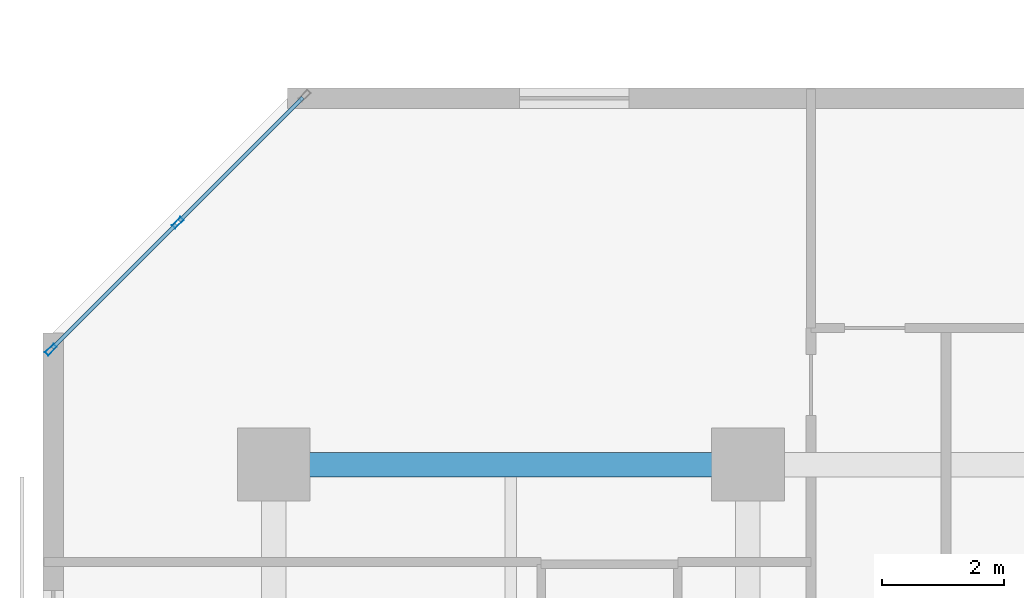
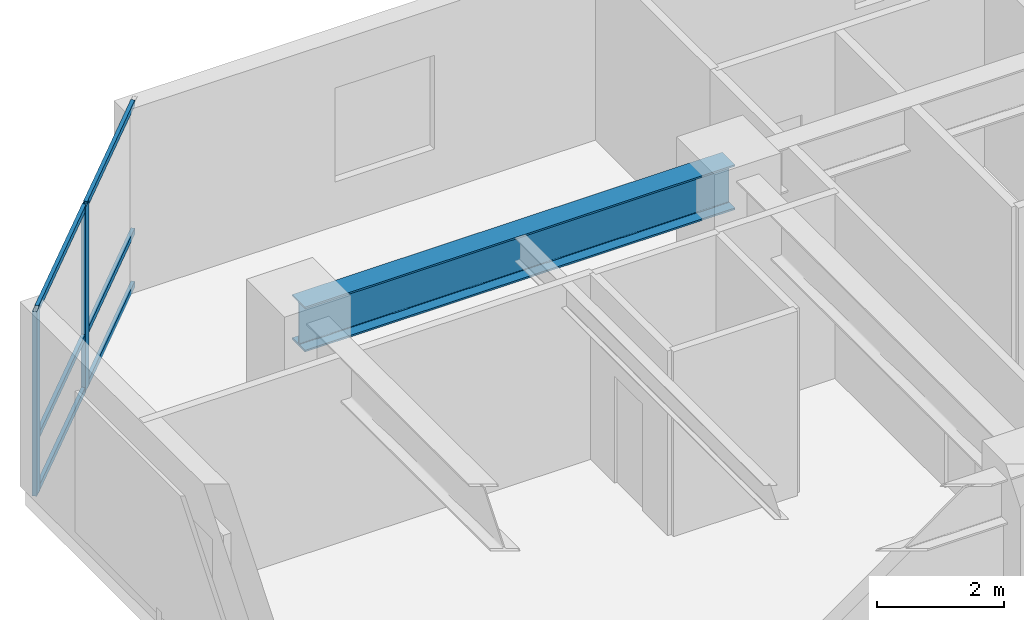
# One storey, part 3 of 13: 8 members, 1 beam, 1 element without a shape of its own.
"""IFC4 building model written with IfcOpenShell, lengths in metres."""

import ifcopenshell
import ifcopenshell.guid

model = None  # the IFC model being written
_history = None  # IfcOwnerHistory: only IFC2X3 demands one
_inside = {}  # id of a spatial element -> (the spatial element, [elements in it])
_under = {}  # id of a project, library or spatial element -> (it, [spatial elements below it])
_declared = {}  # id of a project -> (the project, [libraries it declares])
_typed = {}  # id of a type object -> (the type object, [elements of that type])
_made_of = {}  # id of a material, layer set ... -> (it, [elements and type objects made of it])


def new_model(schema):
    """Start an empty IFC model of exactly this schema.

    Asked for "IFC4X3", IfcOpenShell would pick the latest addendum, in which some entities
    have other attributes; the version numbers below select the first issue.
    IFC2X3 requires an IfcOwnerHistory on every rooted entity: one is made here for all.
    """
    global model, _history
    if schema == "IFC4X3":
        model = ifcopenshell.file(schema_version=(4, 3, 0, 0))
    else:
        model = ifcopenshell.file(schema=schema)
    _inside.clear()
    _under.clear()
    _declared.clear()
    _typed.clear()
    _made_of.clear()
    _history = None
    if model.schema == "IFC2X3":
        org = make("IfcOrganization", Name="unknown")
        user = make(
            "IfcPersonAndOrganization",
            ThePerson=make("IfcPerson", FamilyName="unknown"),
            TheOrganization=org,
        )
        app = make(
            "IfcApplication",
            ApplicationDeveloper=org,
            Version="unknown",
            ApplicationFullName="unknown",
            ApplicationIdentifier="unknown",
        )
        _history = make(
            "IfcOwnerHistory",
            OwningUser=user,
            OwningApplication=app,
            ChangeAction="ADDED",
            CreationDate=0,
        )
    return model


def make(cls, **values):
    """One entity of the class cls with the attributes given. An attribute that is None is left unset."""
    return model.create_entity(
        cls, **{name: value for name, value in values.items() if value is not None}
    )


def rooted(cls, **values):
    """An entity with a GlobalId (a new one), such as an element, a storey or a relation."""
    return make(cls, GlobalId=ifcopenshell.guid.new(), OwnerHistory=_history, **values)


def si_unit(unit_type, name, prefix=None):
    """IfcSIUnit, for example si_unit("LENGTHUNIT", "METRE", prefix="MILLI")."""
    return make("IfcSIUnit", UnitType=unit_type, Prefix=prefix, Name=name)


def assignment(units):
    """IfcUnitAssignment: the units of a project."""
    return None if units is None else make("IfcUnitAssignment", Units=units)


def point(xyz):
    """IfcCartesianPoint."""
    return None if xyz is None else make("IfcCartesianPoint", Coordinates=xyz)


def direction(xyz):
    """IfcDirection."""
    return None if xyz is None else make("IfcDirection", DirectionRatios=xyz)


def frame(location, z_axis=None, x_axis=None):
    """IfcAxis2Placement3D, a coordinate frame: its origin and axes. An axis left out is left unset."""
    return make(
        "IfcAxis2Placement3D",
        Location=point(location),
        Axis=direction(z_axis),
        RefDirection=direction(x_axis),
    )


def frame_2d(location, x_axis=None):
    """IfcAxis2Placement2D, a coordinate frame in the plane: its origin and x axis."""
    return make(
        "IfcAxis2Placement2D", Location=point(location), RefDirection=direction(x_axis)
    )


def origin():
    """The frame at (0, 0, 0) with its axes left unset."""
    return frame((0.0, 0.0, 0.0))


def origin_2d():
    """The frame at (0, 0) in the plane with its x axis left unset."""
    return frame_2d((0.0, 0.0))


def place(relative_to, where):
    """IfcLocalPlacement: puts the frame where relative to a parent placement (None: the world)."""
    return make(
        "IfcLocalPlacement", PlacementRelTo=relative_to, RelativePlacement=where
    )


def context(
    kind, dimensions, precision=None, world=None, true_north=None, identifier=None
):
    """IfcGeometricRepresentationContext, for example the 3D "Model" context."""
    return make(
        "IfcGeometricRepresentationContext",
        ContextIdentifier=identifier,
        ContextType=kind,
        CoordinateSpaceDimension=dimensions,
        Precision=precision,
        WorldCoordinateSystem=world,
        TrueNorth=true_north,
    )


def subcontext(parent, identifier, kind, view, scale=None):
    """IfcGeometricRepresentationSubContext, for example "Body" below "Model"."""
    return make(
        "IfcGeometricRepresentationSubContext",
        ContextIdentifier=identifier,
        ContextType=kind,
        ParentContext=parent,
        TargetScale=scale,
        TargetView=view,
    )


def project(units=None, contexts=None):
    """IfcProject with its units and contexts."""
    return rooted(
        "IfcProject",
        Name="project",
        RepresentationContexts=contexts,
        UnitsInContext=assignment(units),
    )


def spatial(cls, under=None, at=None, **own):
    """A site, building, storey or space (cls), placed at a placement, below another one or the project."""
    s = rooted(cls, ObjectPlacement=at, **own)
    if under is not None:
        _under.setdefault(under.id(), (under, []))[1].append(s)
    return s


def profile(cls, at=None, kind="AREA", **sizes):
    """A parametric profile (cls). Its sizes go by their IFC names, for example OverallWidth=200.0."""
    return make(cls, ProfileType=kind, Position=at, **sizes)


def hollow_rectangle(**sizes):
    """IfcRectangleHollowProfileDef."""
    return profile("IfcRectangleHollowProfileDef", **sizes)


def i_section(**sizes):
    """IfcIShapeProfileDef."""
    return profile("IfcIShapeProfileDef", **sizes)


def extrude(swept, where, along, depth):
    """IfcExtrudedAreaSolid: the profile swept, set in the frame where, extruded along a direction by depth."""
    return make(
        "IfcExtrudedAreaSolid",
        SweptArea=swept,
        Position=where,
        ExtrudedDirection=direction(along),
        Depth=depth,
    )


def shape(context_of_items, identifier, shape_type, items):
    """IfcShapeRepresentation: the items that make up one representation, for example the "Body"."""
    return make(
        "IfcShapeRepresentation",
        ContextOfItems=context_of_items,
        RepresentationIdentifier=identifier,
        RepresentationType=shape_type,
        Items=items,
    )


def material(Name=None, Category=None):
    """IfcMaterial."""
    return make("IfcMaterial", Name=Name, Category=Category)


def layer(
    of_material, thickness, ventilated=None, Name=None, Category=None, Priority=None
):
    """IfcMaterialLayer: one layer of a wall or slab, of a material (None: an air gap)."""
    return make(
        "IfcMaterialLayer",
        Material=of_material,
        LayerThickness=thickness,
        IsVentilated=ventilated,
        Name=Name,
        Category=Category,
        Priority=Priority,
    )


def layer_set(layers, Name=None):
    """IfcMaterialLayerSet."""
    return make("IfcMaterialLayerSet", MaterialLayers=layers, LayerSetName=Name)


def material_profile(
    of_material, cross_section, Name=None, Category=None, Priority=None
):
    """IfcMaterialProfile: a cross section and its material."""
    return make(
        "IfcMaterialProfile",
        Name=Name,
        Material=of_material,
        Profile=cross_section,
        Priority=Priority,
        Category=Category,
    )


def profile_set(profiles, Name=None, composite=None):
    """IfcMaterialProfileSet."""
    return make(
        "IfcMaterialProfileSet",
        Name=Name,
        MaterialProfiles=profiles,
        CompositeProfile=composite,
    )


def made_of(thing, what):
    """Note that an element or type object is made of a material, layer set ...; save() writes the relation."""
    if what is not None:
        _made_of.setdefault(what.id(), (what, []))[1].append(thing)
    return thing


def type_object(cls, material=None, **own):
    """A type object (cls), such as IfcWallType, which elements share."""
    return made_of(rooted(cls, **own), material)


def element(
    cls,
    number,
    at=None,
    inside=None,
    cuts=None,
    type_object=None,
    material=None,
    context=None,
    identifier="Body",
    shape_type=None,
    held_by="IfcProductDefinitionShape",
    body=None,
    shapes=None,
    **own,
):
    """One element of the class cls, such as IfcWall. Its Tag is "e" and its number.

    at: its placement. inside: the storey or other place that contains it. cuts: it is an
    opening in that element (IfcRelVoidsElement). A single representation is given by context,
    identifier, shape_type and body (its items); several are given by shapes. held_by: the class
    of the entity that holds the representations. save() writes the other relations.
    """
    e = rooted(cls, Tag="e%d" % number, ObjectPlacement=at, **own)
    if body is not None:
        shapes = [shape(context, identifier, shape_type, body)]
    if shapes is not None:
        e.Representation = make(held_by, Representations=shapes)
    if inside is not None:
        _inside.setdefault(inside.id(), (inside, []))[1].append(e)
    if cuts is not None:
        rooted(
            "IfcRelVoidsElement", RelatingBuildingElement=cuts, RelatedOpeningElement=e
        )
    if type_object is not None:
        _typed.setdefault(type_object.id(), (type_object, []))[1].append(e)
    return made_of(e, material)


def aggregate(whole, parts):
    """IfcRelAggregates: a whole, such as a stair, and the parts it consists of."""
    return rooted("IfcRelAggregates", RelatingObject=whole, RelatedObjects=parts)


def save(model, path):
    """Write the relations noted so far, then the file.

    IfcRelAggregates (storeys below a building ...), IfcRelContainedInSpatialStructure (elements
    in a storey), IfcRelDefinesByType, IfcRelAssociatesMaterial and IfcRelDeclares: one each for
    every whole, place, type object, material and project.
    """
    for whole, parts in _under.values():
        aggregate(whole, parts)
    for where, things in _inside.values():
        rooted(
            "IfcRelContainedInSpatialStructure",
            RelatedElements=things,
            RelatingStructure=where,
        )
    for kind, things in _typed.values():
        rooted("IfcRelDefinesByType", RelatedObjects=things, RelatingType=kind)
    for what, things in _made_of.values():
        rooted("IfcRelAssociatesMaterial", RelatedObjects=things, RelatingMaterial=what)
    for by, libraries in _declared.values():
        rooted("IfcRelDeclares", RelatingContext=by, RelatedDefinitions=libraries)
    model.write(path)


model = new_model("IFC4")

# Units and contexts
model_context = context("Model", 3, precision=1e-05, world=origin(), true_north=direction((0.0, 1.0)))
body_context = subcontext(model_context, "Body", "Model", "MODEL_VIEW")
ifc_project = project(units=[si_unit("LENGTHUNIT", "METRE"), si_unit("AREAUNIT", "SQUARE_METRE"), si_unit("VOLUMEUNIT", "CUBIC_METRE"), si_unit("PLANEANGLEUNIT", "RADIAN"), si_unit("MASSUNIT", "GRAM", prefix="KILO")], contexts=[model_context])

# Site, building, storey
site_placement = place(None, origin())
site = spatial("IfcSite", under=ifc_project, at=site_placement, CompositionType="ELEMENT")
building_placement = place(site_placement, origin())
building = spatial("IfcBuilding", under=site, at=building_placement, Name="Kestravale Grand Hotel", CompositionType="ELEMENT")
storey_placement = place(building_placement, frame((0.0, 0.0, 88.0)))
storey = spatial("IfcBuildingStorey", under=building, at=storey_placement, Name="L21", CompositionType="ELEMENT", Elevation=88.0)

# Beam
ifc_material_1 = material(Name="Steel ASTM A992 Grade 50", Category="steel")
ifc_material_profile_1 = material_profile(ifc_material_1, i_section(OverallWidth=0.40087890625, OverallDepth=0.861083984375, WebThickness=0.019775390625, FlangeThickness=0.032470703125, FilletRadius=0.0234375, at=origin_2d()))
ifc_profile_set_1 = profile_set([ifc_material_profile_1], Name="Steel ASTM A992 Grade 50")
beam_type = type_object("IfcBeamType", Name="B-GRD-W33", PredefinedType="BEAM", material=ifc_profile_set_1)
beam_placement = place(storey_placement, frame((7.800048828125, 38.39990234375, 3.109619140625), z_axis=(1.0, 0.0, 0.0), x_axis=(0.0, 1.0, 0.0)))
element("IfcBeam", 1, at=beam_placement, inside=storey, type_object=beam_type, Name="L21 girder F:2-3", PredefinedType="BEAM", context=body_context, shape_type="SweptSolid", body=[
    extrude(i_section(OverallWidth=0.40087890625, OverallDepth=0.861083984375, WebThickness=0.019775390625, FlangeThickness=0.032470703125, FilletRadius=0.0234375, at=origin_2d()), origin(), (0.0, 0.0, 1.0), 7.800048828125),
])

# Curtain wall, members
ifc_material_2 = material(Name="Thermally broken champagne-bronze aluminium and low-E glazing", Category="aluminium")
ifc_layer = layer(ifc_material_2, 0.199951171875)
ifc_layer_set = layer_set([ifc_layer], Name="CW-Z2")
curtain_wall_type = type_object("IfcCurtainWallType", Name="CW-Z2", PredefinedType="NOTDEFINED", material=ifc_layer_set)
curtain_wall_placement = place(storey_placement, origin())
curtain_wall = element("IfcCurtainWall", 2, at=curtain_wall_placement, inside=storey, type_object=curtain_wall_type, Name="L21 unitised curtain wall 18", PredefinedType="NOTDEFINED")
ifc_material_3 = material(Name="Aluminium 6063-T6 anodised", Category="aluminium")
ifc_material_profile_2 = material_profile(ifc_material_3, hollow_rectangle(XDim=0.074951171875, YDim=0.199951171875, WallThickness=0.00390625, at=origin_2d()))
ifc_profile_set_2 = profile_set([ifc_material_profile_2], Name="Aluminium 6063-T6 anodised")
member_type_1 = type_object("IfcMemberType", Name="CW-MUL-200", PredefinedType="MULLION", material=ifc_profile_set_2)
member_1_placement = place(storey_placement, frame((6.22021484375, 42.3798828125, 0.0), z_axis=(0.0, 0.0, 1.0), x_axis=(0.707106781187, -0.707106781187, 0.0)))
member_1 = element("IfcMember", 3, at=member_1_placement, type_object=member_type_1, Name="CW-Z2 mullion 2", PredefinedType="MULLION", context=body_context, shape_type="SweptSolid", body=[
    extrude(hollow_rectangle(XDim=0.074951171875, YDim=0.199951171875, WallThickness=0.00390625, at=origin_2d()), origin(), (0.0, 0.0, 1.0), 3.5400390625),
])
member_2_placement = place(storey_placement, frame((4.132568359375, 40.292236328125, 0.0), z_axis=(0.0, 0.0, 1.0), x_axis=(0.707106781187, -0.707106781187, 0.0)))
member_2 = element("IfcMember", 4, at=member_2_placement, type_object=member_type_1, Name="CW-Z2 mullion 3", PredefinedType="MULLION", context=body_context, shape_type="SweptSolid", body=[
    extrude(hollow_rectangle(XDim=0.074951171875, YDim=0.199951171875, WallThickness=0.00390625, at=origin_2d()), origin(), (0.0, 0.0, 1.0), 3.5400390625),
])
ifc_material_4 = material(Name="Aluminium 6063-T6 anodised", Category="aluminium")
ifc_material_profile_3 = material_profile(ifc_material_4, hollow_rectangle(XDim=0.06494140625, YDim=0.114990234375, WallThickness=0.003173828125, at=origin_2d()))
ifc_profile_set_3 = profile_set([ifc_material_profile_3], Name="Aluminium 6063-T6 anodised")
member_type_2 = type_object("IfcMemberType", Name="CW-TRN-115", PredefinedType="USERDEFINED", material=ifc_profile_set_3)
member_3_placement = place(storey_placement, frame((8.28125, 44.44091796875, 0.032470703125), z_axis=(-0.707064354356, -0.707149205472, 0.0), x_axis=(0.707149205472, -0.707064354356, 0.0)))
member_3 = element("IfcMember", 5, at=member_3_placement, type_object=member_type_2, Name="CW-Z2 transom 1.1", ObjectType="TRANSOM", PredefinedType="USERDEFINED", context=body_context, shape_type="SweptSolid", body=[
    extrude(hollow_rectangle(XDim=0.06494140625, YDim=0.114990234375, WallThickness=0.003173828125, at=origin_2d()), origin(), (0.0, 0.0, 1.0), 2.877197265625),
])
member_4_placement = place(storey_placement, frame((8.28125, 44.44091796875, 1.050048828125), z_axis=(-0.707064354356, -0.707149205472, 0.0), x_axis=(0.707149205472, -0.707064354356, 0.0)))
member_4 = element("IfcMember", 6, at=member_4_placement, type_object=member_type_2, Name="CW-Z2 transom 1.2", ObjectType="TRANSOM", PredefinedType="USERDEFINED", context=body_context, shape_type="SweptSolid", body=[
    extrude(hollow_rectangle(XDim=0.06494140625, YDim=0.114990234375, WallThickness=0.003173828125, at=origin_2d()), origin(), (0.0, 0.0, 1.0), 2.877197265625),
])
member_5_placement = place(storey_placement, frame((8.28125, 44.44091796875, 3.507568359375), z_axis=(-0.707064354356, -0.707149205472, 0.0), x_axis=(0.707149205472, -0.707064354356, 0.0)))
member_5 = element("IfcMember", 7, at=member_5_placement, type_object=member_type_2, Name="CW-Z2 transom 1.3", ObjectType="TRANSOM", PredefinedType="USERDEFINED", context=body_context, shape_type="SweptSolid", body=[
    extrude(hollow_rectangle(XDim=0.06494140625, YDim=0.114990234375, WallThickness=0.003173828125, at=origin_2d()), origin(), (0.0, 0.0, 1.0), 2.877197265625),
])
member_6_placement = place(storey_placement, frame((6.193603515625, 42.353271484375, 0.032470703125), z_axis=(-0.707106781187, -0.707106781187, 0.0), x_axis=(0.707106781187, -0.707106781187, 0.0)))
member_6 = element("IfcMember", 8, at=member_6_placement, type_object=member_type_2, Name="CW-Z2 transom 2.1", ObjectType="TRANSOM", PredefinedType="USERDEFINED", context=body_context, shape_type="SweptSolid", body=[
    extrude(hollow_rectangle(XDim=0.06494140625, YDim=0.114990234375, WallThickness=0.003173828125, at=origin_2d()), origin(), (0.0, 0.0, 1.0), 2.87744140625),
])
member_7_placement = place(storey_placement, frame((6.193603515625, 42.353271484375, 1.050048828125), z_axis=(-0.707106781187, -0.707106781187, 0.0), x_axis=(0.707106781187, -0.707106781187, 0.0)))
member_7 = element("IfcMember", 9, at=member_7_placement, type_object=member_type_2, Name="CW-Z2 transom 2.2", ObjectType="TRANSOM", PredefinedType="USERDEFINED", context=body_context, shape_type="SweptSolid", body=[
    extrude(hollow_rectangle(XDim=0.06494140625, YDim=0.114990234375, WallThickness=0.003173828125, at=origin_2d()), origin(), (0.0, 0.0, 1.0), 2.87744140625),
])
member_8_placement = place(storey_placement, frame((6.193603515625, 42.353271484375, 3.507568359375), z_axis=(-0.707106781187, -0.707106781187, 0.0), x_axis=(0.707106781187, -0.707106781187, 0.0)))
member_8 = element("IfcMember", 10, at=member_8_placement, type_object=member_type_2, Name="CW-Z2 transom 2.3", ObjectType="TRANSOM", PredefinedType="USERDEFINED", context=body_context, shape_type="SweptSolid", body=[
    extrude(hollow_rectangle(XDim=0.06494140625, YDim=0.114990234375, WallThickness=0.003173828125, at=origin_2d()), origin(), (0.0, 0.0, 1.0), 2.87744140625),
])
aggregate(curtain_wall, [member_1, member_2, member_3, member_4, member_5, member_6, member_7, member_8])

save(model, "model.ifc")
